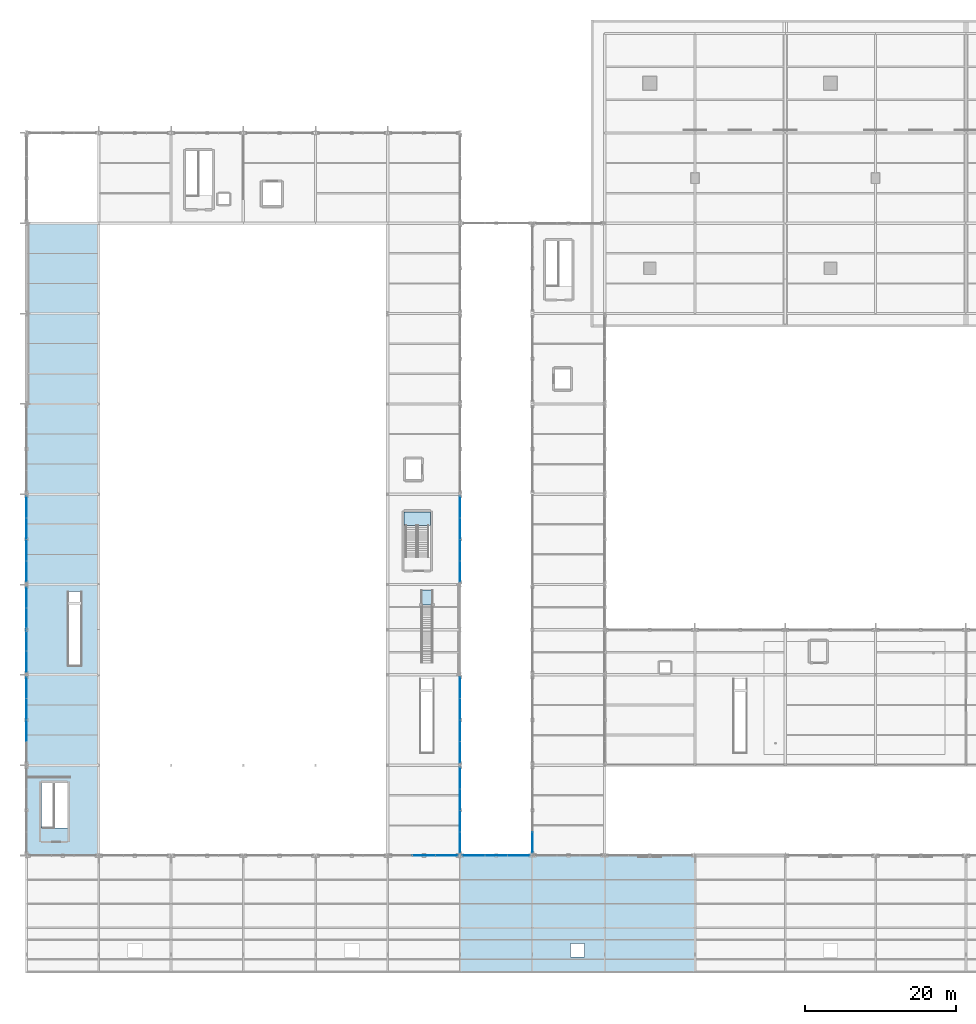
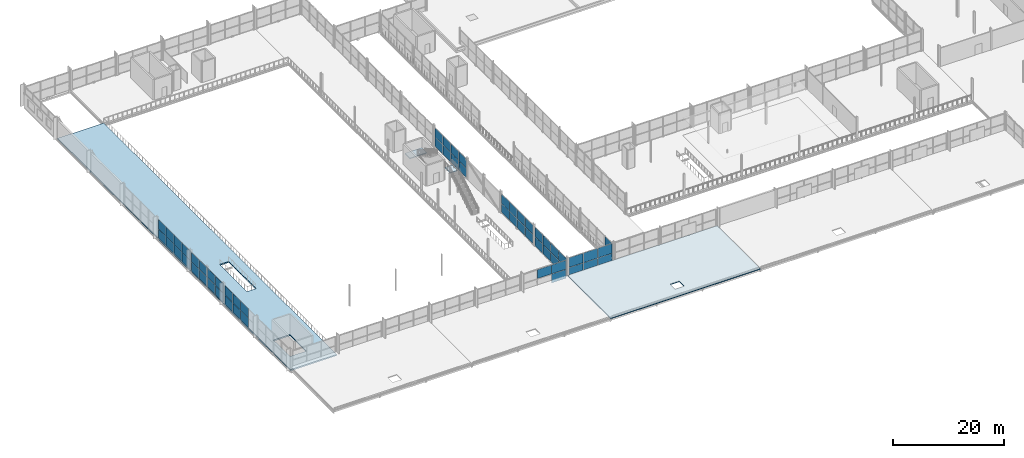
# One storey, part 120 of 159: 57 plates, 4 slabs, 11 elements without a shape of their own.
"""IFC4 building model written with IfcOpenShell, lengths in metres."""

from ifc_helpers import new_model, si_unit, direction, frame, origin, origin_2d, place, context, subcontext, project, spatial, polyline, rectangle, outline, extrude, material, layer, layer_set, type_object, element, aggregate, save


model = new_model("IFC4")

# Units and contexts
model_context = context("Model", 3, precision=1e-05, world=origin(), true_north=direction((0.0, 1.0)))
body_context = subcontext(model_context, "Body", "Model", "MODEL_VIEW")
ifc_project = project(units=[si_unit("LENGTHUNIT", "METRE"), si_unit("AREAUNIT", "SQUARE_METRE"), si_unit("VOLUMEUNIT", "CUBIC_METRE"), si_unit("PLANEANGLEUNIT", "RADIAN"), si_unit("MASSUNIT", "GRAM", prefix="KILO")], contexts=[model_context])

# Site, building, storey
site_placement = place(None, origin())
site = spatial("IfcSite", under=ifc_project, at=site_placement, CompositionType="ELEMENT")
building_placement = place(site_placement, origin())
building = spatial("IfcBuilding", under=site, at=building_placement, Name="Merenkruunu Market Hall", CompositionType="ELEMENT")
storey_placement = place(building_placement, frame((0.0, 0.0, 5.39990234375)))
storey = spatial("IfcBuildingStorey", under=building, at=storey_placement, Name="L01", CompositionType="ELEMENT", Elevation=5.39990234375)

# Curtain wall, plates
ifc_material_1 = material(Name="Powder-coated aluminium", Category="aluminium")
curtain_wall_type_1 = type_object("IfcCurtainWallType", Name="Glazed Curtain Wall CW03", PredefinedType="USERDEFINED", material=ifc_material_1)
curtain_wall_1_placement = place(storey_placement, origin())
curtain_wall_1 = element("IfcCurtainWall", 1, at=curtain_wall_1_placement, inside=storey, type_object=curtain_wall_type_1, Name="CW-L01-CWM03-140", ObjectType="GLAZED_FACADE", PredefinedType="USERDEFINED")
ifc_material_2 = material(Name="Triple low-E insulated glass", Category="glass")
ifc_layer_1 = layer(ifc_material_2, 0.035888671875)
ifc_layer_set_1 = layer_set([ifc_layer_1], Name="Triple low-E insulated glass")
plate_type_1 = type_object("IfcPlateType", Name="Curtain Wall Glazing Panel CWP01", PredefinedType="CURTAIN_PANEL", material=ifc_layer_set_1)
plate_1_placement = place(storey_placement, frame((65.3984375, 15.60009765625, 0.06005859375), z_axis=(0.0, 0.0, 1.0), x_axis=(-1.0, 0.0, 0.0)))
plate_1 = element("IfcPlate", 2, at=plate_1_placement, type_object=plate_type_1, Name="CW03 panel 1.1", PredefinedType="CURTAIN_PANEL", context=body_context, shape_type="SweptSolid", body=[
    extrude(rectangle(XDim=2.92333984375, YDim=0.035888671875, at=origin_2d()), origin(), (0.0, 0.0, 1.0), 2.110107421875),
])
plate_2_placement = place(storey_placement, frame((65.3984375, 15.60009765625, 2.22998046875), z_axis=(0.0, 0.0, 1.0), x_axis=(-1.0, 0.0, 0.0)))
plate_2 = element("IfcPlate", 3, at=plate_2_placement, type_object=plate_type_1, Name="CW03 panel 1.2", PredefinedType="CURTAIN_PANEL", context=body_context, shape_type="SweptSolid", body=[
    extrude(rectangle(XDim=2.92333984375, YDim=0.035888671875, at=origin_2d()), origin(), (0.0, 0.0, 1.0), 2.110107421875),
])
plate_3_placement = place(storey_placement, frame((62.39990234375, 15.60009765625, 0.06005859375), z_axis=(0.0, 0.0, 1.0), x_axis=(-1.0, 0.0, 0.0)))
plate_3 = element("IfcPlate", 4, at=plate_3_placement, type_object=plate_type_1, Name="CW03 panel 2.1", PredefinedType="CURTAIN_PANEL", context=body_context, shape_type="SweptSolid", body=[
    extrude(rectangle(XDim=2.953369140625, YDim=0.035888671875, at=origin_2d()), origin(), (0.0, 0.0, 1.0), 2.110107421875),
])
plate_4_placement = place(storey_placement, frame((62.39990234375, 15.60009765625, 2.22998046875), z_axis=(0.0, 0.0, 1.0), x_axis=(-1.0, 0.0, 0.0)))
plate_4 = element("IfcPlate", 5, at=plate_4_placement, type_object=plate_type_1, Name="CW03 panel 2.2", PredefinedType="CURTAIN_PANEL", context=body_context, shape_type="SweptSolid", body=[
    extrude(rectangle(XDim=2.953369140625, YDim=0.035888671875, at=origin_2d()), origin(), (0.0, 0.0, 1.0), 2.110107421875),
])
plate_5_placement = place(storey_placement, frame((59.401611328125, 15.60009765625, 0.06005859375), z_axis=(0.0, 0.0, 1.0), x_axis=(-1.0, 0.0, 0.0)))
plate_5 = element("IfcPlate", 6, at=plate_5_placement, type_object=plate_type_1, Name="CW03 panel 3.1", PredefinedType="CURTAIN_PANEL", context=body_context, shape_type="SweptSolid", body=[
    extrude(rectangle(XDim=2.92333984375, YDim=0.035888671875, at=origin_2d()), origin(), (0.0, 0.0, 1.0), 2.110107421875),
])
plate_6_placement = place(storey_placement, frame((59.401611328125, 15.60009765625, 2.22998046875), z_axis=(0.0, 0.0, 1.0), x_axis=(-1.0, 0.0, 0.0)))
plate_6 = element("IfcPlate", 7, at=plate_6_placement, type_object=plate_type_1, Name="CW03 panel 3.2", PredefinedType="CURTAIN_PANEL", context=body_context, shape_type="SweptSolid", body=[
    extrude(rectangle(XDim=2.92333984375, YDim=0.035888671875, at=origin_2d()), origin(), (0.0, 0.0, 1.0), 2.110107421875),
])
aggregate(curtain_wall_1, [plate_1, plate_2, plate_3, plate_4, plate_5, plate_6])

curtain_wall_type_2 = type_object("IfcCurtainWallType", Name="Glazed Curtain Wall CW02", PredefinedType="USERDEFINED", material=ifc_material_1)
curtain_wall_2_placement = place(storey_placement, origin())
curtain_wall_2 = element("IfcCurtainWall", 8, at=curtain_wall_2_placement, inside=storey, type_object=curtain_wall_type_2, Name="CW-L01-CWM02-005", ObjectType="GLAZED_FACADE", PredefinedType="USERDEFINED")
ifc_layer_2 = layer(ifc_material_2, 0.035888671875)
ifc_layer_set_2 = layer_set([ifc_layer_2], Name="Triple low-E insulated glass")
plate_type_2 = type_object("IfcPlateType", Name="Curtain Wall Glazing Panel CWP02", PredefinedType="CURTAIN_PANEL", material=ifc_layer_set_2)
plate_7_placement = place(storey_placement, frame((0.0, 32.169921875, 0.06005859375), z_axis=(0.0, 0.0, 1.0), x_axis=(0.0, 1.0, 0.0)))
plate_7 = element("IfcPlate", 9, at=plate_7_placement, type_object=plate_type_2, Name="CW02 panel 2.1", PredefinedType="CURTAIN_PANEL", context=body_context, shape_type="SweptSolid", body=[
    extrude(rectangle(XDim=2.800048828125, YDim=0.035888671875, at=origin_2d()), origin(), (0.0, 0.0, 1.0), 2.034912109375),
])
plate_8_placement = place(storey_placement, frame((0.0, 32.169921875, 2.1552734375), z_axis=(0.0, 0.0, 1.0), x_axis=(0.0, 1.0, 0.0)))
plate_8 = element("IfcPlate", 10, at=plate_8_placement, type_object=plate_type_2, Name="CW02 panel 2.2", PredefinedType="CURTAIN_PANEL", context=body_context, shape_type="SweptSolid", body=[
    extrude(rectangle(XDim=2.800048828125, YDim=0.035888671875, at=origin_2d()), origin(), (0.0, 0.0, 1.0), 2.034912109375),
])
plate_9_placement = place(storey_placement, frame((0.0, 35.030029296875, 0.06005859375), z_axis=(0.0, 0.0, 1.0), x_axis=(0.0, 1.0, 0.0)))
plate_9 = element("IfcPlate", 11, at=plate_9_placement, type_object=plate_type_2, Name="CW02 panel 3.1", PredefinedType="CURTAIN_PANEL", context=body_context, shape_type="SweptSolid", body=[
    extrude(rectangle(XDim=2.800048828125, YDim=0.035888671875, at=origin_2d()), origin(), (0.0, 0.0, 1.0), 2.034912109375),
])
plate_10_placement = place(storey_placement, frame((0.0, 35.030029296875, 2.1552734375), z_axis=(0.0, 0.0, 1.0), x_axis=(0.0, 1.0, 0.0)))
plate_10 = element("IfcPlate", 12, at=plate_10_placement, type_object=plate_type_2, Name="CW02 panel 3.2", PredefinedType="CURTAIN_PANEL", context=body_context, shape_type="SweptSolid", body=[
    extrude(rectangle(XDim=2.800048828125, YDim=0.035888671875, at=origin_2d()), origin(), (0.0, 0.0, 1.0), 2.034912109375),
])
plate_11_placement = place(storey_placement, frame((0.0, 37.875, 0.06005859375), z_axis=(0.0, 0.0, 1.0), x_axis=(0.0, 1.0, 0.0)))
plate_11 = element("IfcPlate", 13, at=plate_11_placement, type_object=plate_type_2, Name="CW02 panel 4.1", PredefinedType="CURTAIN_PANEL", context=body_context, shape_type="SweptSolid", body=[
    extrude(rectangle(XDim=2.77001953125, YDim=0.035888671875, at=origin_2d()), origin(), (0.0, 0.0, 1.0), 2.034912109375),
])
plate_12_placement = place(storey_placement, frame((0.0, 37.875, 2.1552734375), z_axis=(0.0, 0.0, 1.0), x_axis=(0.0, 1.0, 0.0)))
plate_12 = element("IfcPlate", 14, at=plate_12_placement, type_object=plate_type_2, Name="CW02 panel 4.2", PredefinedType="CURTAIN_PANEL", context=body_context, shape_type="SweptSolid", body=[
    extrude(rectangle(XDim=2.77001953125, YDim=0.035888671875, at=origin_2d()), origin(), (0.0, 0.0, 1.0), 2.034912109375),
])
aggregate(curtain_wall_2, [plate_7, plate_8, plate_9, plate_10, plate_11, plate_12])

curtain_wall_3_placement = place(storey_placement, origin())
curtain_wall_3 = element("IfcCurtainWall", 15, at=curtain_wall_3_placement, inside=storey, type_object=curtain_wall_type_2, Name="CW-L01-CWM02-008", ObjectType="GLAZED_FACADE", PredefinedType="USERDEFINED")
plate_13_placement = place(storey_placement, frame((0.0, 41.324951171875, 0.06005859375), z_axis=(0.0, 0.0, 1.0), x_axis=(0.0, 1.0, 0.0)))
plate_13 = element("IfcPlate", 16, at=plate_13_placement, type_object=plate_type_2, Name="CW02 panel 1.1", PredefinedType="CURTAIN_PANEL", context=body_context, shape_type="SweptSolid", body=[
    extrude(rectangle(XDim=2.77001953125, YDim=0.035888671875, at=origin_2d()), origin(), (0.0, 0.0, 1.0), 2.034912109375),
])
plate_14_placement = place(storey_placement, frame((0.0, 41.324951171875, 2.1552734375), z_axis=(0.0, 0.0, 1.0), x_axis=(0.0, 1.0, 0.0)))
plate_14 = element("IfcPlate", 17, at=plate_14_placement, type_object=plate_type_2, Name="CW02 panel 1.2", PredefinedType="CURTAIN_PANEL", context=body_context, shape_type="SweptSolid", body=[
    extrude(rectangle(XDim=2.77001953125, YDim=0.035888671875, at=origin_2d()), origin(), (0.0, 0.0, 1.0), 2.034912109375),
])
plate_15_placement = place(storey_placement, frame((0.0, 44.169921875, 0.06005859375), z_axis=(0.0, 0.0, 1.0), x_axis=(0.0, 1.0, 0.0)))
plate_15 = element("IfcPlate", 18, at=plate_15_placement, type_object=plate_type_2, Name="CW02 panel 2.1", PredefinedType="CURTAIN_PANEL", context=body_context, shape_type="SweptSolid", body=[
    extrude(rectangle(XDim=2.800048828125, YDim=0.035888671875, at=origin_2d()), origin(), (0.0, 0.0, 1.0), 2.034912109375),
])
plate_16_placement = place(storey_placement, frame((0.0, 44.169921875, 2.1552734375), z_axis=(0.0, 0.0, 1.0), x_axis=(0.0, 1.0, 0.0)))
plate_16 = element("IfcPlate", 19, at=plate_16_placement, type_object=plate_type_2, Name="CW02 panel 2.2", PredefinedType="CURTAIN_PANEL", context=body_context, shape_type="SweptSolid", body=[
    extrude(rectangle(XDim=2.800048828125, YDim=0.035888671875, at=origin_2d()), origin(), (0.0, 0.0, 1.0), 2.034912109375),
])
plate_17_placement = place(storey_placement, frame((0.0, 47.030029296875, 0.06005859375), z_axis=(0.0, 0.0, 1.0), x_axis=(0.0, 1.0, 0.0)))
plate_17 = element("IfcPlate", 20, at=plate_17_placement, type_object=plate_type_2, Name="CW02 panel 3.1", PredefinedType="CURTAIN_PANEL", context=body_context, shape_type="SweptSolid", body=[
    extrude(rectangle(XDim=2.800048828125, YDim=0.035888671875, at=origin_2d()), origin(), (0.0, 0.0, 1.0), 2.034912109375),
])
plate_18_placement = place(storey_placement, frame((0.0, 47.030029296875, 2.1552734375), z_axis=(0.0, 0.0, 1.0), x_axis=(0.0, 1.0, 0.0)))
plate_18 = element("IfcPlate", 21, at=plate_18_placement, type_object=plate_type_2, Name="CW02 panel 3.2", PredefinedType="CURTAIN_PANEL", context=body_context, shape_type="SweptSolid", body=[
    extrude(rectangle(XDim=2.800048828125, YDim=0.035888671875, at=origin_2d()), origin(), (0.0, 0.0, 1.0), 2.034912109375),
])
plate_19_placement = place(storey_placement, frame((0.0, 49.875, 0.06005859375), z_axis=(0.0, 0.0, 1.0), x_axis=(0.0, 1.0, 0.0)))
plate_19 = element("IfcPlate", 22, at=plate_19_placement, type_object=plate_type_2, Name="CW02 panel 4.1", PredefinedType="CURTAIN_PANEL", context=body_context, shape_type="SweptSolid", body=[
    extrude(rectangle(XDim=2.77001953125, YDim=0.035888671875, at=origin_2d()), origin(), (0.0, 0.0, 1.0), 2.034912109375),
])
plate_20_placement = place(storey_placement, frame((0.0, 49.875, 2.1552734375), z_axis=(0.0, 0.0, 1.0), x_axis=(0.0, 1.0, 0.0)))
plate_20 = element("IfcPlate", 23, at=plate_20_placement, type_object=plate_type_2, Name="CW02 panel 4.2", PredefinedType="CURTAIN_PANEL", context=body_context, shape_type="SweptSolid", body=[
    extrude(rectangle(XDim=2.77001953125, YDim=0.035888671875, at=origin_2d()), origin(), (0.0, 0.0, 1.0), 2.034912109375),
])
aggregate(curtain_wall_3, [plate_13, plate_14, plate_15, plate_16, plate_17, plate_18, plate_19, plate_20])

curtain_wall_4_placement = place(storey_placement, origin())
curtain_wall_4 = element("IfcCurtainWall", 24, at=curtain_wall_4_placement, inside=storey, type_object=curtain_wall_type_2, Name="CW-L01-CWM02-011", ObjectType="GLAZED_FACADE", PredefinedType="USERDEFINED")
plate_21_placement = place(storey_placement, frame((0.0, 53.324951171875, 0.06005859375), z_axis=(0.0, 0.0, 1.0), x_axis=(0.0, 1.0, 0.0)))
plate_21 = element("IfcPlate", 25, at=plate_21_placement, type_object=plate_type_2, Name="CW02 panel 1.1", PredefinedType="CURTAIN_PANEL", context=body_context, shape_type="SweptSolid", body=[
    extrude(rectangle(XDim=2.77001953125, YDim=0.035888671875, at=origin_2d()), origin(), (0.0, 0.0, 1.0), 2.034912109375),
])
plate_22_placement = place(storey_placement, frame((0.0, 53.324951171875, 2.1552734375), z_axis=(0.0, 0.0, 1.0), x_axis=(0.0, 1.0, 0.0)))
plate_22 = element("IfcPlate", 26, at=plate_22_placement, type_object=plate_type_2, Name="CW02 panel 1.2", PredefinedType="CURTAIN_PANEL", context=body_context, shape_type="SweptSolid", body=[
    extrude(rectangle(XDim=2.77001953125, YDim=0.035888671875, at=origin_2d()), origin(), (0.0, 0.0, 1.0), 2.034912109375),
])
plate_23_placement = place(storey_placement, frame((0.0, 56.169921875, 0.06005859375), z_axis=(0.0, 0.0, 1.0), x_axis=(0.0, 1.0, 0.0)))
plate_23 = element("IfcPlate", 27, at=plate_23_placement, type_object=plate_type_2, Name="CW02 panel 2.1", PredefinedType="CURTAIN_PANEL", context=body_context, shape_type="SweptSolid", body=[
    extrude(rectangle(XDim=2.800048828125, YDim=0.035888671875, at=origin_2d()), origin(), (0.0, 0.0, 1.0), 2.034912109375),
])
plate_24_placement = place(storey_placement, frame((0.0, 56.169921875, 2.1552734375), z_axis=(0.0, 0.0, 1.0), x_axis=(0.0, 1.0, 0.0)))
plate_24 = element("IfcPlate", 28, at=plate_24_placement, type_object=plate_type_2, Name="CW02 panel 2.2", PredefinedType="CURTAIN_PANEL", context=body_context, shape_type="SweptSolid", body=[
    extrude(rectangle(XDim=2.800048828125, YDim=0.035888671875, at=origin_2d()), origin(), (0.0, 0.0, 1.0), 2.034912109375),
])
plate_25_placement = place(storey_placement, frame((0.0, 59.030029296875, 0.06005859375), z_axis=(0.0, 0.0, 1.0), x_axis=(0.0, 1.0, 0.0)))
plate_25 = element("IfcPlate", 29, at=plate_25_placement, type_object=plate_type_2, Name="CW02 panel 3.1", PredefinedType="CURTAIN_PANEL", context=body_context, shape_type="SweptSolid", body=[
    extrude(rectangle(XDim=2.800048828125, YDim=0.035888671875, at=origin_2d()), origin(), (0.0, 0.0, 1.0), 2.034912109375),
])
plate_26_placement = place(storey_placement, frame((0.0, 59.030029296875, 2.1552734375), z_axis=(0.0, 0.0, 1.0), x_axis=(0.0, 1.0, 0.0)))
plate_26 = element("IfcPlate", 30, at=plate_26_placement, type_object=plate_type_2, Name="CW02 panel 3.2", PredefinedType="CURTAIN_PANEL", context=body_context, shape_type="SweptSolid", body=[
    extrude(rectangle(XDim=2.800048828125, YDim=0.035888671875, at=origin_2d()), origin(), (0.0, 0.0, 1.0), 2.034912109375),
])
plate_27_placement = place(storey_placement, frame((0.0, 61.875, 0.06005859375), z_axis=(0.0, 0.0, 1.0), x_axis=(0.0, 1.0, 0.0)))
plate_27 = element("IfcPlate", 31, at=plate_27_placement, type_object=plate_type_2, Name="CW02 panel 4.1", PredefinedType="CURTAIN_PANEL", context=body_context, shape_type="SweptSolid", body=[
    extrude(rectangle(XDim=2.77001953125, YDim=0.035888671875, at=origin_2d()), origin(), (0.0, 0.0, 1.0), 2.034912109375),
])
plate_28_placement = place(storey_placement, frame((0.0, 61.875, 2.1552734375), z_axis=(0.0, 0.0, 1.0), x_axis=(0.0, 1.0, 0.0)))
plate_28 = element("IfcPlate", 32, at=plate_28_placement, type_object=plate_type_2, Name="CW02 panel 4.2", PredefinedType="CURTAIN_PANEL", context=body_context, shape_type="SweptSolid", body=[
    extrude(rectangle(XDim=2.77001953125, YDim=0.035888671875, at=origin_2d()), origin(), (0.0, 0.0, 1.0), 2.034912109375),
])
aggregate(curtain_wall_4, [plate_21, plate_22, plate_23, plate_24, plate_25, plate_26, plate_27, plate_28])

curtain_wall_type_3 = type_object("IfcCurtainWallType", Name="Glazed Curtain Wall CW09", PredefinedType="USERDEFINED", material=ifc_material_1)
curtain_wall_5_placement = place(storey_placement, origin())
curtain_wall_5 = element("IfcCurtainWall", 33, at=curtain_wall_5_placement, inside=storey, type_object=curtain_wall_type_3, Name="CW-L01-CWM02-035", ObjectType="GLAZED_FACADE", PredefinedType="USERDEFINED")
plate_29_placement = place(storey_placement, frame((55.79833984375, 15.60009765625, 0.06005859375), z_axis=(0.0, 0.0, 1.0), x_axis=(-1.0, 0.0, 0.0)))
plate_29 = element("IfcPlate", 34, at=plate_29_placement, type_object=plate_type_2, Name="CW09 panel 1.1", PredefinedType="CURTAIN_PANEL", context=body_context, shape_type="SweptSolid", body=[
    extrude(rectangle(XDim=2.92333984375, YDim=0.035888671875, at=origin_2d()), origin(), (0.0, 0.0, 1.0), 1.9599609375),
])
plate_30_placement = place(storey_placement, frame((55.79833984375, 15.60009765625, 2.080078125), z_axis=(0.0, 0.0, 1.0), x_axis=(-1.0, 0.0, 0.0)))
plate_30 = element("IfcPlate", 35, at=plate_30_placement, type_object=plate_type_2, Name="CW09 panel 1.2", PredefinedType="CURTAIN_PANEL", context=body_context, shape_type="SweptSolid", body=[
    extrude(rectangle(XDim=2.92333984375, YDim=0.035888671875, at=origin_2d()), origin(), (0.0, 0.0, 1.0), 1.9599609375),
])
plate_31_placement = place(storey_placement, frame((52.800048828125, 15.60009765625, 2.080078125), z_axis=(0.0, 0.0, 1.0), x_axis=(-1.0, 0.0, 0.0)))
plate_31 = element("IfcPlate", 36, at=plate_31_placement, type_object=plate_type_2, Name="CW09 panel 2.2", PredefinedType="CURTAIN_PANEL", context=body_context, shape_type="SweptSolid", body=[
    extrude(rectangle(XDim=2.953369140625, YDim=0.035888671875, at=origin_2d()), origin(), (0.0, 0.0, 1.0), 1.9599609375),
])
aggregate(curtain_wall_5, [plate_29, plate_30, plate_31])

curtain_wall_type_4 = type_object("IfcCurtainWallType", Name="Glazed Curtain Wall CW15", PredefinedType="USERDEFINED", material=ifc_material_1)
curtain_wall_6_placement = place(storey_placement, origin())
curtain_wall_6 = element("IfcCurtainWall", 37, at=curtain_wall_6_placement, inside=storey, type_object=curtain_wall_type_4, Name="CW-L01-CWM01-122", ObjectType="GLAZED_FACADE", PredefinedType="USERDEFINED")
ifc_layer_3 = layer(ifc_material_2, 0.035888671875)
ifc_layer_set_3 = layer_set([ifc_layer_3], Name="Triple low-E insulated glass")
plate_type_3 = type_object("IfcPlateType", Name="Curtain Wall Glazing Panel CWP09", PredefinedType="CURTAIN_PANEL", material=ifc_layer_set_3)
plate_32_placement = place(storey_placement, frame((57.60009765625, 17.324951171875, 0.06005859375), z_axis=(0.0, 0.0, 1.0), x_axis=(0.0, 1.0, 0.0)))
plate_32 = element("IfcPlate", 38, at=plate_32_placement, type_object=plate_type_3, Name="CW15 panel 1.1", PredefinedType="CURTAIN_PANEL", context=body_context, shape_type="SweptSolid", body=[
    extrude(rectangle(XDim=2.77001953125, YDim=0.035888671875, at=origin_2d()), origin(), (0.0, 0.0, 1.0), 2.010009765625),
])
plate_33_placement = place(storey_placement, frame((57.60009765625, 17.324951171875, 2.1298828125), z_axis=(0.0, 0.0, 1.0), x_axis=(0.0, 1.0, 0.0)))
plate_33 = element("IfcPlate", 39, at=plate_33_placement, type_object=plate_type_3, Name="CW15 panel 1.2", PredefinedType="CURTAIN_PANEL", context=body_context, shape_type="SweptSolid", body=[
    extrude(rectangle(XDim=2.77001953125, YDim=0.035888671875, at=origin_2d()), origin(), (0.0, 0.0, 1.0), 2.010009765625),
])
plate_34_placement = place(storey_placement, frame((57.60009765625, 20.169921875, 0.06005859375), z_axis=(0.0, 0.0, 1.0), x_axis=(0.0, 1.0, 0.0)))
plate_34 = element("IfcPlate", 40, at=plate_34_placement, type_object=plate_type_3, Name="CW15 panel 2.1", PredefinedType="CURTAIN_PANEL", context=body_context, shape_type="SweptSolid", body=[
    extrude(rectangle(XDim=2.800048828125, YDim=0.035888671875, at=origin_2d()), origin(), (0.0, 0.0, 1.0), 2.010009765625),
])
plate_35_placement = place(storey_placement, frame((57.60009765625, 20.169921875, 2.1298828125), z_axis=(0.0, 0.0, 1.0), x_axis=(0.0, 1.0, 0.0)))
plate_35 = element("IfcPlate", 41, at=plate_35_placement, type_object=plate_type_3, Name="CW15 panel 2.2", PredefinedType="CURTAIN_PANEL", context=body_context, shape_type="SweptSolid", body=[
    extrude(rectangle(XDim=2.800048828125, YDim=0.035888671875, at=origin_2d()), origin(), (0.0, 0.0, 1.0), 2.010009765625),
])
plate_36_placement = place(storey_placement, frame((57.60009765625, 23.030029296875, 0.06005859375), z_axis=(0.0, 0.0, 1.0), x_axis=(0.0, 1.0, 0.0)))
plate_36 = element("IfcPlate", 42, at=plate_36_placement, type_object=plate_type_3, Name="CW15 panel 3.1", PredefinedType="CURTAIN_PANEL", context=body_context, shape_type="SweptSolid", body=[
    extrude(rectangle(XDim=2.800048828125, YDim=0.035888671875, at=origin_2d()), origin(), (0.0, 0.0, 1.0), 2.010009765625),
])
plate_37_placement = place(storey_placement, frame((57.60009765625, 23.030029296875, 2.1298828125), z_axis=(0.0, 0.0, 1.0), x_axis=(0.0, 1.0, 0.0)))
plate_37 = element("IfcPlate", 43, at=plate_37_placement, type_object=plate_type_3, Name="CW15 panel 3.2", PredefinedType="CURTAIN_PANEL", context=body_context, shape_type="SweptSolid", body=[
    extrude(rectangle(XDim=2.800048828125, YDim=0.035888671875, at=origin_2d()), origin(), (0.0, 0.0, 1.0), 2.010009765625),
])
plate_38_placement = place(storey_placement, frame((57.60009765625, 25.875, 0.06005859375), z_axis=(0.0, 0.0, 1.0), x_axis=(0.0, 1.0, 0.0)))
plate_38 = element("IfcPlate", 44, at=plate_38_placement, type_object=plate_type_3, Name="CW15 panel 4.1", PredefinedType="CURTAIN_PANEL", context=body_context, shape_type="SweptSolid", body=[
    extrude(rectangle(XDim=2.77001953125, YDim=0.035888671875, at=origin_2d()), origin(), (0.0, 0.0, 1.0), 2.010009765625),
])
plate_39_placement = place(storey_placement, frame((57.60009765625, 25.875, 2.1298828125), z_axis=(0.0, 0.0, 1.0), x_axis=(0.0, 1.0, 0.0)))
plate_39 = element("IfcPlate", 45, at=plate_39_placement, type_object=plate_type_3, Name="CW15 panel 4.2", PredefinedType="CURTAIN_PANEL", context=body_context, shape_type="SweptSolid", body=[
    extrude(rectangle(XDim=2.77001953125, YDim=0.035888671875, at=origin_2d()), origin(), (0.0, 0.0, 1.0), 2.010009765625),
])
aggregate(curtain_wall_6, [plate_32, plate_33, plate_34, plate_35, plate_36, plate_37, plate_38, plate_39])

curtain_wall_7_placement = place(storey_placement, origin())
curtain_wall_7 = element("IfcCurtainWall", 46, at=curtain_wall_7_placement, inside=storey, type_object=curtain_wall_type_4, Name="CW-L01-CWM01-125", ObjectType="GLAZED_FACADE", PredefinedType="USERDEFINED")
plate_40_placement = place(storey_placement, frame((57.60009765625, 29.324951171875, 0.06005859375), z_axis=(0.0, 0.0, 1.0), x_axis=(0.0, 1.0, 0.0)))
plate_40 = element("IfcPlate", 47, at=plate_40_placement, type_object=plate_type_3, Name="CW15 panel 1.1", PredefinedType="CURTAIN_PANEL", context=body_context, shape_type="SweptSolid", body=[
    extrude(rectangle(XDim=2.77001953125, YDim=0.035888671875, at=origin_2d()), origin(), (0.0, 0.0, 1.0), 2.010009765625),
])
plate_41_placement = place(storey_placement, frame((57.60009765625, 29.324951171875, 2.1298828125), z_axis=(0.0, 0.0, 1.0), x_axis=(0.0, 1.0, 0.0)))
plate_41 = element("IfcPlate", 48, at=plate_41_placement, type_object=plate_type_3, Name="CW15 panel 1.2", PredefinedType="CURTAIN_PANEL", context=body_context, shape_type="SweptSolid", body=[
    extrude(rectangle(XDim=2.77001953125, YDim=0.035888671875, at=origin_2d()), origin(), (0.0, 0.0, 1.0), 2.010009765625),
])
plate_42_placement = place(storey_placement, frame((57.60009765625, 32.169921875, 0.06005859375), z_axis=(0.0, 0.0, 1.0), x_axis=(0.0, 1.0, 0.0)))
plate_42 = element("IfcPlate", 49, at=plate_42_placement, type_object=plate_type_3, Name="CW15 panel 2.1", PredefinedType="CURTAIN_PANEL", context=body_context, shape_type="SweptSolid", body=[
    extrude(rectangle(XDim=2.800048828125, YDim=0.035888671875, at=origin_2d()), origin(), (0.0, 0.0, 1.0), 2.010009765625),
])
plate_43_placement = place(storey_placement, frame((57.60009765625, 32.169921875, 2.1298828125), z_axis=(0.0, 0.0, 1.0), x_axis=(0.0, 1.0, 0.0)))
plate_43 = element("IfcPlate", 50, at=plate_43_placement, type_object=plate_type_3, Name="CW15 panel 2.2", PredefinedType="CURTAIN_PANEL", context=body_context, shape_type="SweptSolid", body=[
    extrude(rectangle(XDim=2.800048828125, YDim=0.035888671875, at=origin_2d()), origin(), (0.0, 0.0, 1.0), 2.010009765625),
])
plate_44_placement = place(storey_placement, frame((57.60009765625, 35.030029296875, 0.06005859375), z_axis=(0.0, 0.0, 1.0), x_axis=(0.0, 1.0, 0.0)))
plate_44 = element("IfcPlate", 51, at=plate_44_placement, type_object=plate_type_3, Name="CW15 panel 3.1", PredefinedType="CURTAIN_PANEL", context=body_context, shape_type="SweptSolid", body=[
    extrude(rectangle(XDim=2.800048828125, YDim=0.035888671875, at=origin_2d()), origin(), (0.0, 0.0, 1.0), 2.010009765625),
])
plate_45_placement = place(storey_placement, frame((57.60009765625, 35.030029296875, 2.1298828125), z_axis=(0.0, 0.0, 1.0), x_axis=(0.0, 1.0, 0.0)))
plate_45 = element("IfcPlate", 52, at=plate_45_placement, type_object=plate_type_3, Name="CW15 panel 3.2", PredefinedType="CURTAIN_PANEL", context=body_context, shape_type="SweptSolid", body=[
    extrude(rectangle(XDim=2.800048828125, YDim=0.035888671875, at=origin_2d()), origin(), (0.0, 0.0, 1.0), 2.010009765625),
])
plate_46_placement = place(storey_placement, frame((57.60009765625, 37.875, 0.06005859375), z_axis=(0.0, 0.0, 1.0), x_axis=(0.0, 1.0, 0.0)))
plate_46 = element("IfcPlate", 53, at=plate_46_placement, type_object=plate_type_3, Name="CW15 panel 4.1", PredefinedType="CURTAIN_PANEL", context=body_context, shape_type="SweptSolid", body=[
    extrude(rectangle(XDim=2.77001953125, YDim=0.035888671875, at=origin_2d()), origin(), (0.0, 0.0, 1.0), 2.010009765625),
])
plate_47_placement = place(storey_placement, frame((57.60009765625, 37.875, 2.1298828125), z_axis=(0.0, 0.0, 1.0), x_axis=(0.0, 1.0, 0.0)))
plate_47 = element("IfcPlate", 54, at=plate_47_placement, type_object=plate_type_3, Name="CW15 panel 4.2", PredefinedType="CURTAIN_PANEL", context=body_context, shape_type="SweptSolid", body=[
    extrude(rectangle(XDim=2.77001953125, YDim=0.035888671875, at=origin_2d()), origin(), (0.0, 0.0, 1.0), 2.010009765625),
])
aggregate(curtain_wall_7, [plate_40, plate_41, plate_42, plate_43, plate_44, plate_45, plate_46, plate_47])

curtain_wall_8_placement = place(storey_placement, origin())
curtain_wall_8 = element("IfcCurtainWall", 55, at=curtain_wall_8_placement, inside=storey, type_object=curtain_wall_type_4, Name="CW-L01-CWM01-128", ObjectType="GLAZED_FACADE", PredefinedType="USERDEFINED")
plate_48_placement = place(storey_placement, frame((57.60009765625, 53.324951171875, 0.06005859375), z_axis=(0.0, 0.0, 1.0), x_axis=(0.0, 1.0, 0.0)))
plate_48 = element("IfcPlate", 56, at=plate_48_placement, type_object=plate_type_3, Name="CW15 panel 1.1", PredefinedType="CURTAIN_PANEL", context=body_context, shape_type="SweptSolid", body=[
    extrude(rectangle(XDim=2.77001953125, YDim=0.035888671875, at=origin_2d()), origin(), (0.0, 0.0, 1.0), 2.010009765625),
])
plate_49_placement = place(storey_placement, frame((57.60009765625, 53.324951171875, 2.1298828125), z_axis=(0.0, 0.0, 1.0), x_axis=(0.0, 1.0, 0.0)))
plate_49 = element("IfcPlate", 57, at=plate_49_placement, type_object=plate_type_3, Name="CW15 panel 1.2", PredefinedType="CURTAIN_PANEL", context=body_context, shape_type="SweptSolid", body=[
    extrude(rectangle(XDim=2.77001953125, YDim=0.035888671875, at=origin_2d()), origin(), (0.0, 0.0, 1.0), 2.010009765625),
])
plate_50_placement = place(storey_placement, frame((57.60009765625, 56.169921875, 0.06005859375), z_axis=(0.0, 0.0, 1.0), x_axis=(0.0, 1.0, 0.0)))
plate_50 = element("IfcPlate", 58, at=plate_50_placement, type_object=plate_type_3, Name="CW15 panel 2.1", PredefinedType="CURTAIN_PANEL", context=body_context, shape_type="SweptSolid", body=[
    extrude(rectangle(XDim=2.800048828125, YDim=0.035888671875, at=origin_2d()), origin(), (0.0, 0.0, 1.0), 2.010009765625),
])
plate_51_placement = place(storey_placement, frame((57.60009765625, 56.169921875, 2.1298828125), z_axis=(0.0, 0.0, 1.0), x_axis=(0.0, 1.0, 0.0)))
plate_51 = element("IfcPlate", 59, at=plate_51_placement, type_object=plate_type_3, Name="CW15 panel 2.2", PredefinedType="CURTAIN_PANEL", context=body_context, shape_type="SweptSolid", body=[
    extrude(rectangle(XDim=2.800048828125, YDim=0.035888671875, at=origin_2d()), origin(), (0.0, 0.0, 1.0), 2.010009765625),
])
plate_52_placement = place(storey_placement, frame((57.60009765625, 59.030029296875, 0.06005859375), z_axis=(0.0, 0.0, 1.0), x_axis=(0.0, 1.0, 0.0)))
plate_52 = element("IfcPlate", 60, at=plate_52_placement, type_object=plate_type_3, Name="CW15 panel 3.1", PredefinedType="CURTAIN_PANEL", context=body_context, shape_type="SweptSolid", body=[
    extrude(rectangle(XDim=2.800048828125, YDim=0.035888671875, at=origin_2d()), origin(), (0.0, 0.0, 1.0), 2.010009765625),
])
plate_53_placement = place(storey_placement, frame((57.60009765625, 59.030029296875, 2.1298828125), z_axis=(0.0, 0.0, 1.0), x_axis=(0.0, 1.0, 0.0)))
plate_53 = element("IfcPlate", 61, at=plate_53_placement, type_object=plate_type_3, Name="CW15 panel 3.2", PredefinedType="CURTAIN_PANEL", context=body_context, shape_type="SweptSolid", body=[
    extrude(rectangle(XDim=2.800048828125, YDim=0.035888671875, at=origin_2d()), origin(), (0.0, 0.0, 1.0), 2.010009765625),
])
plate_54_placement = place(storey_placement, frame((57.60009765625, 61.875, 0.06005859375), z_axis=(0.0, 0.0, 1.0), x_axis=(0.0, 1.0, 0.0)))
plate_54 = element("IfcPlate", 62, at=plate_54_placement, type_object=plate_type_3, Name="CW15 panel 4.1", PredefinedType="CURTAIN_PANEL", context=body_context, shape_type="SweptSolid", body=[
    extrude(rectangle(XDim=2.77001953125, YDim=0.035888671875, at=origin_2d()), origin(), (0.0, 0.0, 1.0), 2.010009765625),
])
plate_55_placement = place(storey_placement, frame((57.60009765625, 61.875, 2.1298828125), z_axis=(0.0, 0.0, 1.0), x_axis=(0.0, 1.0, 0.0)))
plate_55 = element("IfcPlate", 63, at=plate_55_placement, type_object=plate_type_3, Name="CW15 panel 4.2", PredefinedType="CURTAIN_PANEL", context=body_context, shape_type="SweptSolid", body=[
    extrude(rectangle(XDim=2.77001953125, YDim=0.035888671875, at=origin_2d()), origin(), (0.0, 0.0, 1.0), 2.010009765625),
])
aggregate(curtain_wall_8, [plate_48, plate_49, plate_50, plate_51, plate_52, plate_53, plate_54, plate_55])

curtain_wall_type_5 = type_object("IfcCurtainWallType", Name="Glazed Curtain Wall CW16", PredefinedType="USERDEFINED", material=ifc_material_1)
curtain_wall_9_placement = place(storey_placement, origin())
curtain_wall_9 = element("IfcCurtainWall", 64, at=curtain_wall_9_placement, inside=storey, type_object=curtain_wall_type_5, Name="CW-L01-CWM02-169", ObjectType="GLAZED_FACADE", PredefinedType="USERDEFINED")
ifc_layer_4 = layer(ifc_material_2, 0.0380859375)
ifc_layer_set_4 = layer_set([ifc_layer_4], Name="Triple low-E insulated glass")
plate_type_4 = type_object("IfcPlateType", Name="Curtain Wall Glazing Panel CWP10", PredefinedType="CURTAIN_PANEL", material=ifc_layer_set_4)
plate_56_placement = place(storey_placement, frame((67.199951171875, 17.324951171875, 0.06005859375), z_axis=(0.0, 0.0, 1.0), x_axis=(0.0, 1.0, 0.0)))
plate_56 = element("IfcPlate", 65, at=plate_56_placement, type_object=plate_type_4, Name="CW16 panel 1.1", PredefinedType="CURTAIN_PANEL", context=body_context, shape_type="SweptSolid", body=[
    extrude(rectangle(XDim=2.77001953125, YDim=0.0380859375, at=origin_2d()), origin(), (0.0, 0.0, 1.0), 1.93505859375),
])
plate_57_placement = place(storey_placement, frame((67.199951171875, 17.324951171875, 2.05517578125), z_axis=(0.0, 0.0, 1.0), x_axis=(0.0, 1.0, 0.0)))
plate_57 = element("IfcPlate", 66, at=plate_57_placement, type_object=plate_type_4, Name="CW16 panel 1.2", PredefinedType="CURTAIN_PANEL", context=body_context, shape_type="SweptSolid", body=[
    extrude(rectangle(XDim=2.77001953125, YDim=0.0380859375, at=origin_2d()), origin(), (0.0, 0.0, 1.0), 1.93505859375),
])
aggregate(curtain_wall_9, [plate_56, plate_57])

# Slab
ifc_material_3 = material(Name="White boulevard canopy Steel S355ML", Category="steel")
ifc_layer_5 = layer(ifc_material_3, 0.159912109375)
ifc_layer_set_5 = layer_set([ifc_layer_5], Name="White boulevard canopy Steel S355ML")
slab_type_1 = type_object("IfcSlabType", Name="Sloped Or Flat Roof Deck RS04", PredefinedType="ROOF", material=ifc_layer_set_5)
slab_1_placement = place(storey_placement, frame((0.0, 0.0, 0.440185546875)))
element("IfcSlab", 67, at=slab_1_placement, inside=storey, type_object=slab_type_1, Name="SL-ROOF-V6-03", PredefinedType="ROOF", context=body_context, shape_type="SweptSolid", body=[
    extrude(outline(polyline([(57.60009765625, 0.0), (88.800048828125, 0.0), (88.800048828125, 15.60009765625), (57.60009765625, 15.60009765625), (57.60009765625, 0.0)]), holes=[polyline([(72.25, 2.10009765625), (74.14990234375, 2.10009765625), (74.14990234375, 3.89990234375), (72.25, 3.89990234375), (72.25, 2.10009765625)])]), origin(), (0.0, 0.0, 1.0), 0.159912109375),
])

# Stair, slab
ifc_material_4 = material(Name="Concrete C35/45", Category="concrete")
stair_type_1 = type_object("IfcStairType", Name="Two Flight Half Turn Stair ST03", PredefinedType="TWO_STRAIGHT_RUN_STAIR", material=ifc_material_4)
stair_1_placement = place(storey_placement, origin())
stair_1 = element("IfcStair", 68, at=stair_1_placement, inside=storey, type_object=stair_type_1, Name="Protected Stair ST06 (K3 L01-L02)", PredefinedType="TWO_STRAIGHT_RUN_STAIR")
ifc_layer_6 = layer(ifc_material_4, 0.18994140625)
ifc_layer_set_6 = layer_set([ifc_layer_6], Name="Concrete C35/45")
slab_type_2 = type_object("IfcSlabType", Name="Stair Half Landing LS01", PredefinedType="LANDING", material=ifc_layer_set_6)
slab_2_placement = place(storey_placement, frame((0.0, 0.0, 2.210205078125)))
slab_2 = element("IfcSlab", 69, at=slab_2_placement, type_object=slab_type_2, Name="ST06 landing 1", PredefinedType="LANDING", context=body_context, shape_type="SweptSolid", body=[
    extrude(outline(polyline([(50.155029296875, 59.43994140625), (53.64501953125, 59.43994140625), (53.64501953125, 61.2451171875), (50.155029296875, 61.2451171875), (50.155029296875, 59.43994140625)])), origin(), (0.0, 0.0, 1.0), 0.18994140625),
])
aggregate(stair_1, [slab_2])

ifc_material_5 = material(Name="Steel S355J2", Category="steel")
stair_type_2 = type_object("IfcStairType", Name="Single Run Feature Stair FST03", PredefinedType="STRAIGHT_RUN_STAIR", material=ifc_material_5)
stair_2_placement = place(storey_placement, origin())
stair_2 = element("IfcStair", 70, at=stair_2_placement, inside=storey, type_object=stair_type_2, Name="Public Feature Stair FST05 (L01-L02)", PredefinedType="STRAIGHT_RUN_STAIR")
ifc_layer_7 = layer(ifc_material_5, 0.14990234375)
ifc_layer_set_7 = layer_set([ifc_layer_7], Name="Steel S355J2")
slab_type_3 = type_object("IfcSlabType", Name="Stair Half Landing LS02", PredefinedType="LANDING", material=ifc_layer_set_7)
slab_3_placement = place(storey_placement, frame((0.0, 0.0, 4.650146484375)))
slab_3 = element("IfcSlab", 71, at=slab_3_placement, type_object=slab_type_3, Name="FST05 landing 1", PredefinedType="LANDING", context=body_context, shape_type="SweptSolid", body=[
    extrude(outline(polyline([(52.449951171875, 48.89990234375), (53.949951171875, 48.89990234375), (53.949951171875, 50.844970703125), (52.449951171875, 50.844970703125), (52.449951171875, 48.89990234375)])), origin(), (0.0, 0.0, 1.0), 0.14990234375),
])
aggregate(stair_2, [slab_3])

# Slab
ifc_layer_8 = layer(ifc_material_4, 0.280029296875)
ifc_layer_set_8 = layer_set([ifc_layer_8], Name="Concrete C35/45")
slab_type_4 = type_object("IfcSlabType", Name="Suspended Floor Slab FS03", PredefinedType="FLOOR", material=ifc_layer_set_8)
slab_4_placement = place(storey_placement, frame((0.0, 0.0, -0.27978515625)))
element("IfcSlab", 72, at=slab_4_placement, inside=storey, type_object=slab_type_4, Name="SL-L01-V1W", PredefinedType="FLOOR", context=body_context, shape_type="SweptSolid", body=[
    extrude(outline(polyline([(0.0, 15.60009765625), (9.60009765625, 15.60009765625), (9.60009765625, 99.60009765625), (0.0, 99.60009765625), (0.0, 15.60009765625)]), holes=[polyline([(1.989990234375, 19.260009765625), (5.409912109375, 19.260009765625), (5.409912109375, 25.2099609375), (1.989990234375, 25.2099609375), (1.989990234375, 19.260009765625)]), polyline([(5.43505859375, 40.800048828125), (7.364990234375, 40.800048828125), (7.364990234375, 50.64990234375), (5.43505859375, 50.64990234375), (5.43505859375, 40.800048828125)])]), origin(), (0.0, 0.0, 1.0), 0.27978515625),
])

save(model, "model.ifc")
